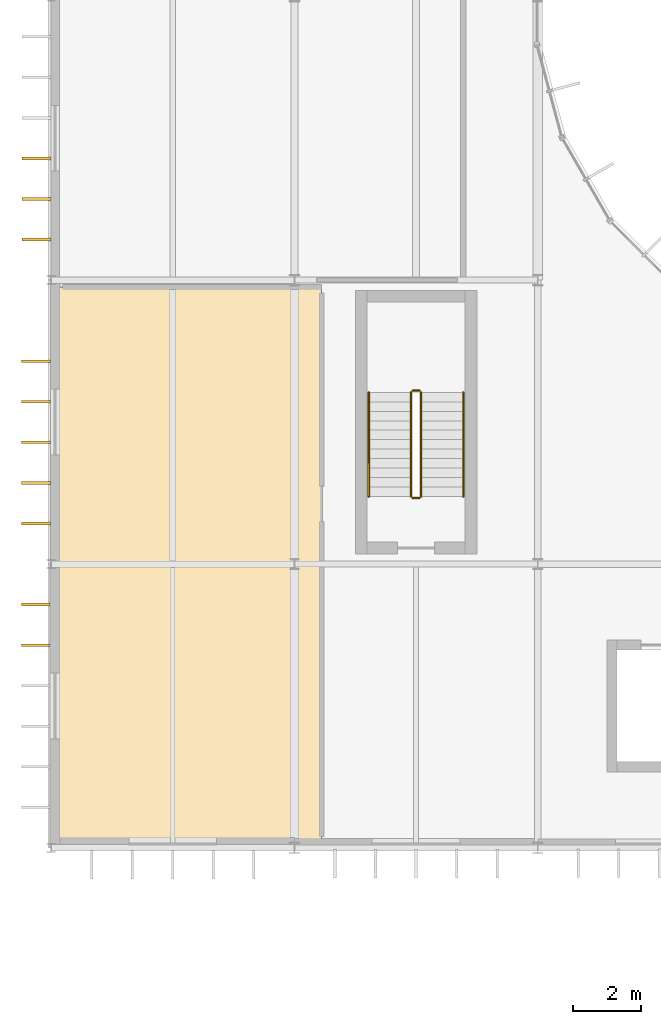
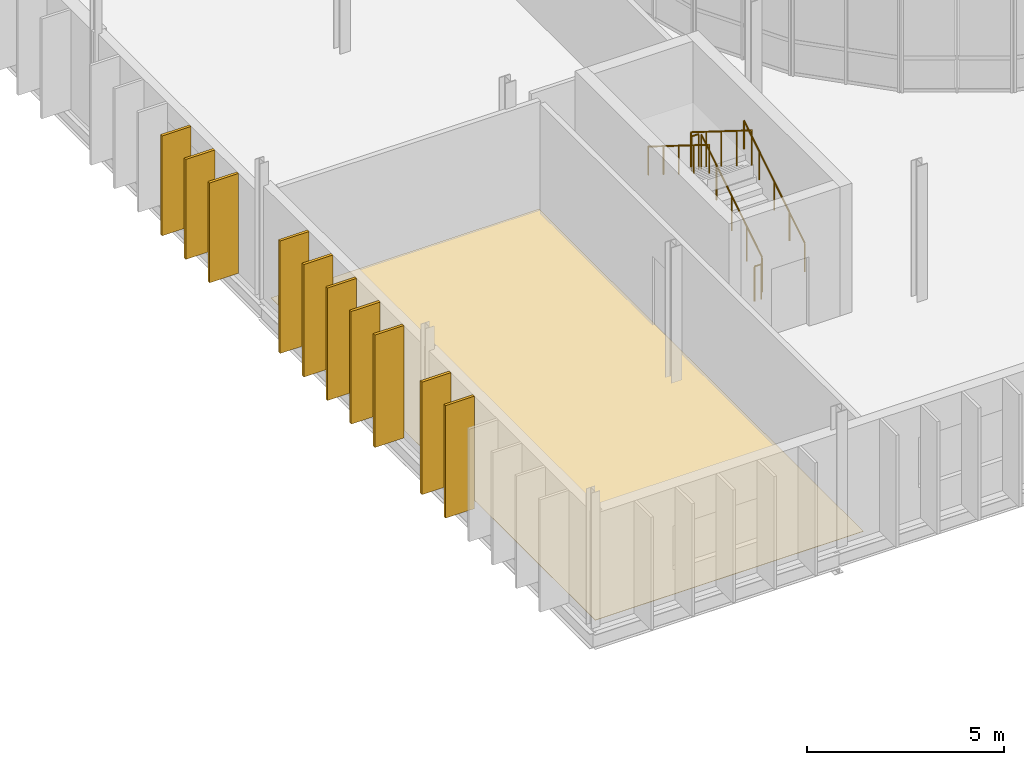
# One storey, part 54 of 61: 10 shading devices, 6 railings, 1 covering.
"""IFC4 building model written with IfcOpenShell, lengths in metres."""

from ifc_helpers import new_model, si_unit, direction, frame, origin, origin_2d, place, context, subcontext, project, spatial, polyline, rectangle, circle, outline, extrude, material, layer, layer_set, type_object, element, save


model = new_model("IFC4")

# Units and contexts
model_context = context("Model", 3, precision=1e-05, world=origin(), true_north=direction((0.0, 1.0)))
body_context = subcontext(model_context, "Body", "Model", "MODEL_VIEW")
ifc_project = project(units=[si_unit("LENGTHUNIT", "METRE"), si_unit("AREAUNIT", "SQUARE_METRE"), si_unit("VOLUMEUNIT", "CUBIC_METRE"), si_unit("PLANEANGLEUNIT", "RADIAN"), si_unit("MASSUNIT", "GRAM", prefix="KILO")], contexts=[model_context])

# Site, building, storey
site_placement = place(None, origin())
site = spatial("IfcSite", under=ifc_project, at=site_placement, CompositionType="ELEMENT")
building_placement = place(site_placement, origin())
building = spatial("IfcBuilding", under=site, at=building_placement, Name="Qelthora Terrace Specialist Clinic", CompositionType="ELEMENT")
storey_placement = place(building_placement, frame((0.0, 0.0, 13.199951171875)))
storey = spatial("IfcBuildingStorey", under=building, at=storey_placement, Name="L03", CompositionType="ELEMENT", Elevation=13.199951171875)

# Covering
ifc_material_1 = material(Name="Antimicrobial clinical linoleum flooring", Category="other")
ifc_layer = layer(ifc_material_1, 0.011962890625)
ifc_layer_set = layer_set([ifc_layer], Name="Antimicrobial clinical linoleum flooring")
covering_type = type_object("IfcCoveringType", Name="COV-FLR-LINO-12", PredefinedType="FLOORING", material=ifc_layer_set)
covering_placement = place(storey_placement, origin())
element("IfcCovering", 1, at=covering_placement, inside=storey, type_object=covering_type, Name="Pre-Procedure Prep and Scrub Suite L03-50 resilient linoleum flooring", PredefinedType="FLOORING", context=body_context, shape_type="SweptSolid", body=[
    extrude(outline(polyline([(0.14990234375, 58.949951171875), (0.14990234375, 75.39990234375), (8.0, 75.39990234375), (8.0, 58.949951171875), (0.14990234375, 58.949951171875)])), origin(), (0.0, 0.0, 1.0), 0.011962890625),
])

# Railings
ifc_material_2 = material(Name="Steel S355", Category="steel")
railing_type_1 = type_object("IfcRailingType", Name="RAL-GD-1100-S355", PredefinedType="GUARDRAIL", material=ifc_material_2)
railing_1_placement = place(storey_placement, frame((10.949951171875, 69.199951171875, 0.175048828125)))
element("IfcRailing", 2, at=railing_1_placement, inside=storey, type_object=railing_type_1, Name="L03 ST-01 stair guard 1", PredefinedType="GUARDRAIL", context=body_context, shape_type="SweptSolid", body=[
    extrude(circle(Radius=0.02392578125, at=origin_2d()), frame((0.0, 0.0, 1.076171875), z_axis=(0.0, 0.847998304005, 0.529998940003), x_axis=(-1.0, 0.0, 0.0)), (0.0, 0.0, 1.0), 3.632080078125),
    extrude(circle(Radius=0.02099609375, at=origin_2d()), origin(), (0.0, 0.0, 1.0), 1.052001953125),
    extrude(circle(Radius=0.02099609375, at=origin_2d()), frame((0.0, 0.77001953125, 0.481201171875)), (0.0, 0.0, 1.0), 1.052001953125),
    extrude(circle(Radius=0.02099609375, at=origin_2d()), frame((0.0, 1.5400390625, 0.96240234375)), (0.0, 0.0, 1.0), 1.052001953125),
    extrude(circle(Radius=0.02099609375, at=origin_2d()), frame((0.0, 2.31005859375, 1.44384765625)), (0.0, 0.0, 1.0), 1.052001953125),
    extrude(circle(Radius=0.02099609375, at=origin_2d()), frame((0.0, 3.080078125, 1.925048828125)), (0.0, 0.0, 1.0), 1.052001953125),
])
railing_2_placement = place(storey_placement, frame((10.89990234375, 72.330078125, 2.10009765625)))
element("IfcRailing", 3, at=railing_2_placement, inside=storey, type_object=railing_type_1, Name="L03 ST-01 stair guard 2", PredefinedType="GUARDRAIL", context=body_context, shape_type="SweptSolid", body=[
    extrude(circle(Radius=0.02392578125, at=origin_2d()), frame((0.0, 0.0, 1.076171875), z_axis=(-1.0, 0.0, 0.0), x_axis=(0.0, -1.0, 0.0)), (0.0, 0.0, 1.0), 0.199951171875),
    extrude(circle(Radius=0.02099609375, at=origin_2d()), origin(), (0.0, 0.0, 1.0), 1.052001953125),
    extrude(circle(Radius=0.02099609375, at=origin_2d()), frame((-0.199951171875, 0.0, 0.0)), (0.0, 0.0, 1.0), 1.052001953125),
])
railing_3_placement = place(storey_placement, frame((10.64990234375, 72.280029296875, 2.275146484375)))
element("IfcRailing", 4, at=railing_3_placement, inside=storey, type_object=railing_type_1, Name="L03 ST-01 stair guard 3", PredefinedType="GUARDRAIL", context=body_context, shape_type="SweptSolid", body=[
    extrude(circle(Radius=0.02392578125, at=origin_2d()), frame((0.0, 0.0, 1.076171875), z_axis=(0.0, -0.848028513186, 0.529950602248), x_axis=(1.0, 0.0, 0.0)), (0.0, 0.0, 1.0), 3.632080078125),
    extrude(circle(Radius=0.02099609375, at=origin_2d()), origin(), (0.0, 0.0, 1.0), 1.052001953125),
    extrude(circle(Radius=0.02099609375, at=origin_2d()), frame((0.0, -0.77001953125, 0.481201171875)), (0.0, 0.0, 1.0), 1.052001953125),
    extrude(circle(Radius=0.02099609375, at=origin_2d()), frame((0.0, -1.5400390625, 0.96240234375)), (0.0, 0.0, 1.0), 1.052001953125),
    extrude(circle(Radius=0.02099609375, at=origin_2d()), frame((0.0, -2.31005859375, 1.443603515625)), (0.0, 0.0, 1.0), 1.052001953125),
    extrude(circle(Radius=0.02099609375, at=origin_2d()), frame((0.0, -3.080078125, 1.9248046875)), (0.0, 0.0, 1.0), 1.052001953125),
])
railing_4_placement = place(storey_placement, frame((10.89990234375, 69.14990234375, 0.0)))
element("IfcRailing", 5, at=railing_4_placement, inside=storey, type_object=railing_type_1, Name="L03 ST-01 stair guard 4", PredefinedType="GUARDRAIL", context=body_context, shape_type="SweptSolid", body=[
    extrude(circle(Radius=0.02392578125, at=origin_2d()), frame((0.0, 0.0, 1.076171875), z_axis=(-1.0, 0.0, 0.0), x_axis=(0.0, -1.0, 0.0)), (0.0, 0.0, 1.0), 0.199951171875),
    extrude(circle(Radius=0.02099609375, at=origin_2d()), origin(), (0.0, 0.0, 1.0), 1.052001953125),
    extrude(circle(Radius=0.02099609375, at=origin_2d()), frame((-0.199951171875, 0.0, 0.0)), (0.0, 0.0, 1.0), 1.052001953125),
])
railing_type_2 = type_object("IfcRailingType", Name="RAL-HR-900-S355", PredefinedType="HANDRAIL", material=ifc_material_2)
railing_5_placement = place(storey_placement, frame((12.199951171875, 69.199951171875, 0.3681640625)))
element("IfcRailing", 6, at=railing_5_placement, inside=storey, type_object=railing_type_2, Name="L03 ST-01 stair handrail 1", PredefinedType="HANDRAIL", context=body_context, shape_type="SweptSolid", body=[
    extrude(circle(Radius=0.02392578125, at=origin_2d()), frame((0.0, 0.0, 0.8759765625), z_axis=(0.0, 0.848028513186, 0.529950602248), x_axis=(-1.0, 0.0, 0.0)), (0.0, 0.0, 1.0), 3.632080078125),
    extrude(circle(Radius=0.02099609375, at=origin_2d()), origin(), (0.0, 0.0, 1.0), 0.851806640625),
    extrude(circle(Radius=0.02099609375, at=origin_2d()), frame((0.0, 0.77001953125, 0.481201171875)), (0.0, 0.0, 1.0), 0.851806640625),
    extrude(circle(Radius=0.02099609375, at=origin_2d()), frame((0.0, 1.5400390625, 0.96240234375)), (0.0, 0.0, 1.0), 0.851806640625),
    extrude(circle(Radius=0.02099609375, at=origin_2d()), frame((0.0, 2.31005859375, 1.443603515625)), (0.0, 0.0, 1.0), 0.851806640625),
    extrude(circle(Radius=0.02099609375, at=origin_2d()), frame((0.0, 3.080078125, 1.9248046875)), (0.0, 0.0, 1.0), 0.851806640625),
])
railing_6_placement = place(storey_placement, frame((9.39990234375, 72.280029296875, 2.468017578125)))
element("IfcRailing", 7, at=railing_6_placement, inside=storey, type_object=railing_type_2, Name="L03 ST-01 stair handrail 2", PredefinedType="HANDRAIL", context=body_context, shape_type="SweptSolid", body=[
    extrude(circle(Radius=0.02392578125, at=origin_2d()), frame((0.0, 0.0, 0.8759765625), z_axis=(0.0, -0.847998304005, 0.529998940003), x_axis=(1.0, 0.0, 0.0)), (0.0, 0.0, 1.0), 3.632080078125),
    extrude(circle(Radius=0.02099609375, at=origin_2d()), origin(), (0.0, 0.0, 1.0), 0.851806640625),
    extrude(circle(Radius=0.02099609375, at=origin_2d()), frame((0.0, -0.77001953125, 0.481201171875)), (0.0, 0.0, 1.0), 0.851806640625),
    extrude(circle(Radius=0.02099609375, at=origin_2d()), frame((0.0, -1.5400390625, 0.96240234375)), (0.0, 0.0, 1.0), 0.851806640625),
    extrude(circle(Radius=0.02099609375, at=origin_2d()), frame((0.0, -2.31005859375, 1.44384765625)), (0.0, 0.0, 1.0), 0.851806640625),
    extrude(circle(Radius=0.02099609375, at=origin_2d()), frame((0.0, -3.080078125, 1.925048828125)), (0.0, 0.0, 1.0), 0.851806640625),
])

# Shading devices
ifc_material_3 = material(Name="Glulam timber GL28h", Category="wood")
shading_device_type = type_object("IfcShadingDeviceType", Name="SHD-FIN-850", PredefinedType="USERDEFINED", material=ifc_material_3)
for number, where, z_axis, x_axis, name in (
    (8, (-0.455078125, 64.800048828125, 0.0), (0.0, 0.0, 1.0), (-1.0, 0.0, 0.0), "Exterior solar shading fin FIN-1636"),
    (9, (-0.455078125, 66.0, 0.0), (0.0, 0.0, 1.0), (-1.0, 0.0, 0.0), "Exterior solar shading fin FIN-1637"),
    (10, (-0.445068359375, 68.39990234375, 0.0), (0.0, 0.0, 1.0), (-1.0, 0.0, 0.0), "Exterior solar shading fin FIN-1638"),
    (11, (-0.445068359375, 69.60009765625, 0.0), (0.0, 0.0, 1.0), (-1.0, 0.0, 0.0), "Exterior solar shading fin FIN-1639"),
    (12, (-0.445068359375, 70.800048828125, 0.0), (0.0, 0.0, 1.0), (-1.0, 0.0, 0.0), "Exterior solar shading fin FIN-1640"),
    (13, (-0.445068359375, 72.0, 0.0), (0.0, 0.0, 1.0), (-1.0, 0.0, 0.0), "Exterior solar shading fin FIN-1641"),
    (14, (-0.445068359375, 73.199951171875, 0.0), (0.0, 0.0, 1.0), (-1.0, 0.0, 0.0), "Exterior solar shading fin FIN-1642"),
):
    element("IfcShadingDevice", number, at=place(storey_placement, frame(where, z_axis=z_axis, x_axis=x_axis)), inside=storey, type_object=shading_device_type, Name=name, ObjectType="FIN", PredefinedType="USERDEFINED", context=body_context, shape_type="SweptSolid", body=[
        extrude(rectangle(XDim=0.85009765625, YDim=0.080078125, at=origin_2d()), origin(), (0.0, 0.0, 1.0), 3.48193359375),
    ])
for number, where, z_axis, x_axis, name in (
    (15, (-0.43505859375, 76.800048828125, 0.0), (0.0, 0.0, 1.0), (-1.0, 0.0, 0.0), "Exterior solar shading fin FIN-1643"),
    (16, (-0.43505859375, 78.0, 0.0), (0.0, 0.0, 1.0), (-1.0, 0.0, 0.0), "Exterior solar shading fin FIN-1644"),
    (17, (-0.43505859375, 79.199951171875, 0.0), (0.0, 0.0, 1.0), (-1.0, 0.0, 0.0), "Exterior solar shading fin FIN-1645"),
):
    element("IfcShadingDevice", number, at=place(storey_placement, frame(where, z_axis=z_axis, x_axis=x_axis)), inside=storey, type_object=shading_device_type, Name=name, ObjectType="FIN", PredefinedType="USERDEFINED", context=body_context, shape_type="SweptSolid", body=[
        extrude(rectangle(XDim=0.85009765625, YDim=0.080078125, at=origin_2d()), origin(), (0.0, 0.0, 1.0), 3.091064453125),
    ])

save(model, "model.ifc")
